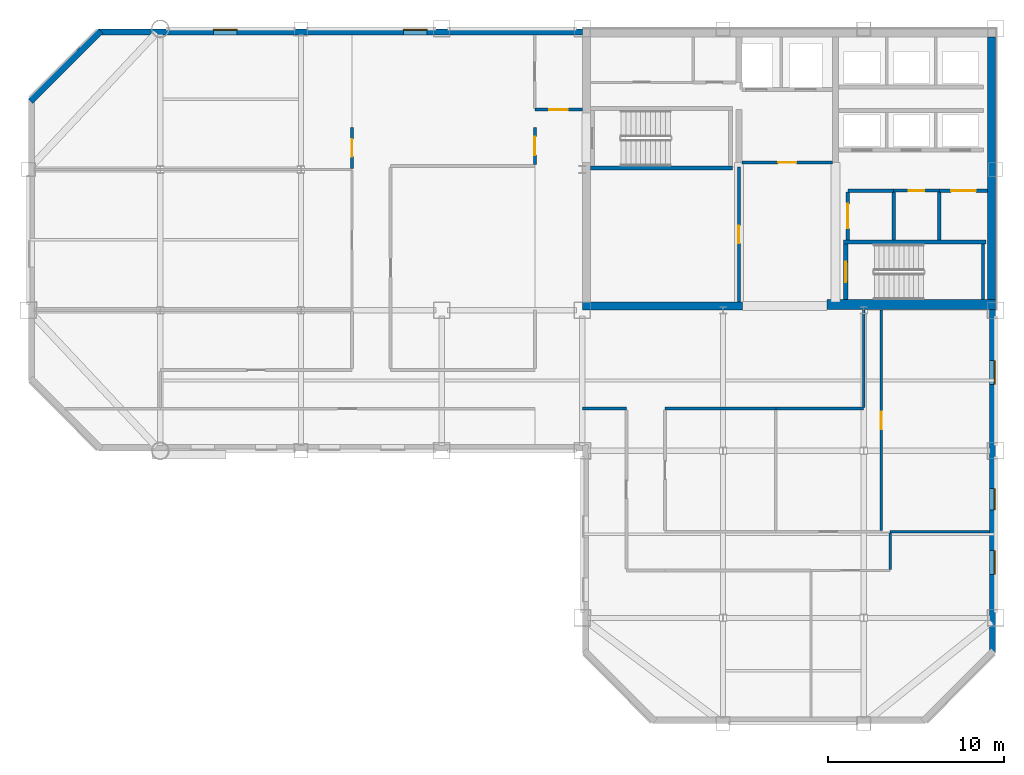
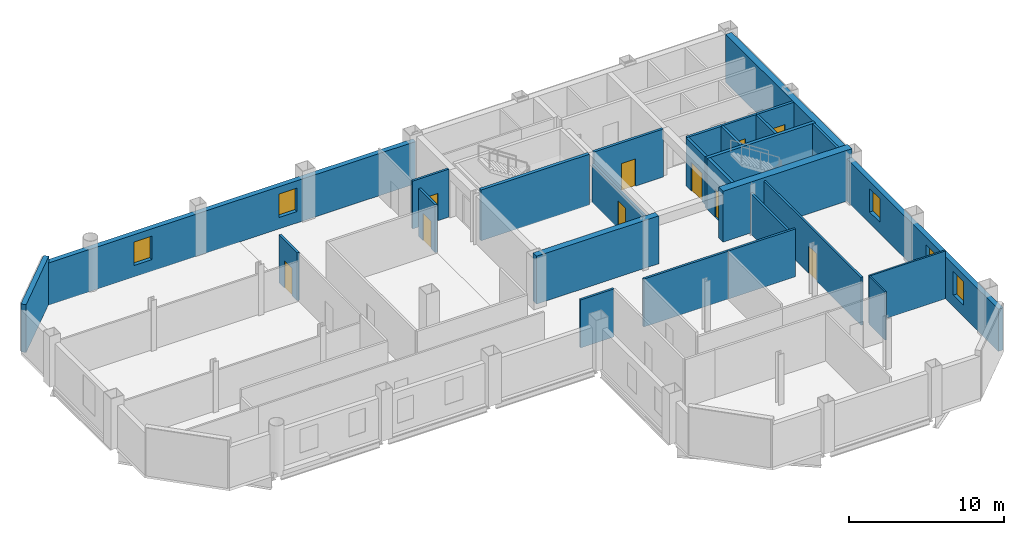
# One storey, part 5 of 10: 28 walls, 10 doors, 5 windows, 15 openings.
"""IFC4 building model written with IfcOpenShell, lengths in metres."""

from ifc_helpers import new_model, si_unit, direction, frame, frame_2d, origin, place, context, subcontext, project, spatial, rectangle, extrude, material, layer, layer_set, type_object, element, fill, save


model = new_model("IFC4")

# Units and contexts
model_context = context("Model", 3, precision=1e-05, world=origin(), true_north=direction((0.0, 1.0)))
body_context = subcontext(model_context, "Body", "Model", "MODEL_VIEW")
ifc_project = project(units=[si_unit("LENGTHUNIT", "METRE"), si_unit("AREAUNIT", "SQUARE_METRE"), si_unit("VOLUMEUNIT", "CUBIC_METRE"), si_unit("PLANEANGLEUNIT", "RADIAN"), si_unit("MASSUNIT", "GRAM", prefix="KILO")], contexts=[model_context])

# Site, building, storey
site_placement = place(None, origin())
site = spatial("IfcSite", under=ifc_project, at=site_placement, CompositionType="ELEMENT")
building_placement = place(site_placement, origin())
building = spatial("IfcBuilding", under=site, at=building_placement, Name="Qianrong Seaharbour Tower", CompositionType="ELEMENT")
storey_placement = place(building_placement, frame((0.0, 0.0, 241.800048828125)))
storey = spatial("IfcBuildingStorey", under=building, at=storey_placement, Name="L58", CompositionType="ELEMENT", Elevation=241.800048828125)

# Walls
ifc_material_1 = material(Name="Concrete C60/75", Category="concrete")
ifc_layer_1 = layer(ifc_material_1, 0.4599609375)
ifc_layer_set_1 = layer_set([ifc_layer_1], Name="Concrete C60/75")
wall_type_1 = type_object("IfcWallType", Name="WALL-CORE-460", PredefinedType="SHEAR", material=ifc_layer_set_1)
wall_1_placement = place(storey_placement, frame((63.77001953125, 36.320068359375, 0.0), z_axis=(0.0, 0.0, 1.0), x_axis=(0.0, 1.0, 0.0)))
element("IfcWall", 1, at=wall_1_placement, inside=storey, type_object=wall_type_1, Name="L58 East Core Shear Wall", PredefinedType="SHEAR", context=body_context, shape_type="SweptSolid", body=[
    extrude(rectangle(XDim=15.219970703125, YDim=0.4599609375, at=frame_2d((7.60986328125, 0.0))), origin(), (0.0, 0.0, 1.0), 3.77490234375),
])
wall_2_placement = place(storey_placement, frame((40.5, 36.22998046875, 0.0), z_axis=(0.0, 0.0, 1.0), x_axis=(1.0, 0.0, 0.0)))
element("IfcWall", 2, at=wall_2_placement, inside=storey, type_object=wall_type_1, Name="L58 South Core Shear Wall S1", PredefinedType="SHEAR", context=body_context, shape_type="SweptSolid", body=[
    extrude(rectangle(XDim=9.10009765625, YDim=0.4599609375, at=frame_2d((4.550048828125, 0.0))), origin(), (0.0, 0.0, 1.0), 3.77490234375),
])
ifc_material_2 = material(Name="Concrete C70/85", Category="concrete")
ifc_layer_2 = layer(ifc_material_2, 0.580078125)
ifc_layer_set_2 = layer_set([ifc_layer_2], Name="Concrete C70/85")
wall_type_2 = type_object("IfcWallType", Name="WALL-CORE-580", PredefinedType="SHEAR", material=ifc_layer_set_2)
wall_3_placement = place(storey_placement, frame((54.39990234375, 36.320068359375, 0.0), z_axis=(0.0, 0.0, 1.0), x_axis=(1.0, 0.0, 0.0)))
element("IfcWall", 3, at=wall_3_placement, inside=storey, type_object=wall_type_2, Name="L58 South Core Shear Wall S3", PredefinedType="SHEAR", context=body_context, shape_type="SweptSolid", body=[
    extrude(rectangle(XDim=9.60009765625, YDim=0.580078125, at=frame_2d((4.800048828125, 0.0))), origin(), (0.0, 0.0, 1.0), 4.0),
])

# Wall, opening, door
ifc_material_3 = material(Name="Fire-rated acoustic gypsum board partition")
ifc_layer_3 = layer(ifc_material_3, 0.1650390625)
ifc_layer_set_3 = layer_set([ifc_layer_3], Name="Fire-rated acoustic gypsum board partition")
wall_type_3 = type_object("IfcWallType", Name="WALL-CORR-PART-165", PredefinedType="PARTITIONING", material=ifc_layer_set_3)
wall_4_placement = place(storey_placement, frame((37.800048828125, 47.39990234375, 0.0), z_axis=(0.0, 0.0, 1.0), x_axis=(1.0, 0.0, 0.0)))
wall_4 = element("IfcWall", 4, at=wall_4_placement, inside=storey, type_object=wall_type_3, Name="L58 Interior Partition Wall 001", PredefinedType="PARTITIONING", context=body_context, shape_type="SweptSolid", body=[
    extrude(rectangle(XDim=2.699951171875, YDim=0.1650390625, at=frame_2d((1.35009765625, 0.0))), origin(), (0.0, 0.0, 1.0), 3.77490234375),
])
opening_1_placement = place(wall_4_placement, frame((0.824951171875, 0.0, 0.0)))
opening_1 = element("IfcOpeningElement", 5, at=opening_1_placement, cuts=wall_4, Name="Opening DC-01", PredefinedType="OPENING", context=body_context, shape_type="SweptSolid", body=[
    extrude(rectangle(XDim=1.050048828125, YDim=2.14990234375, at=frame_2d((0.52490234375, 1.074951171875))), frame((0.0, 0.092529296875, 0.0), z_axis=(0.0, -1.0, 0.0), x_axis=(1.0, 0.0, 0.0)), (0.0, 0.0, 1.0), 0.18505859375),
])
ifc_material_4 = material(Name="Acoustic timber and galvanized steel fire door assembly", Category="steel")
door_type_1 = type_object("IfcDoorType", Name="DOOR-CORR-FD60-1050x2150", OperationType="NOTDEFINED", PredefinedType="DOOR", material=ifc_material_4)
door_1_placement = place(opening_1_placement, origin())
door_1 = element("IfcDoor", 6, at=door_1_placement, inside=storey, type_object=door_type_1, Name="L58 Smokeproof Stair Vestibule ST-1 Door", OperationType="SINGLE_SWING_LEFT", OverallHeight=2.14990234375, OverallWidth=1.050048828125, PredefinedType="DOOR", context=body_context, shape_type="SweptSolid", body=[
    extrude(rectangle(XDim=1.050048828125, YDim=2.14990234375, at=frame_2d((0.52490234375, 1.074951171875))), frame((0.0, 0.02490234375, 0.0), z_axis=(0.0, -1.0, 0.0), x_axis=(1.0, 0.0, 0.0)), (0.0, 0.0, 1.0), 0.050048828125),
])
fill(opening_1, door_1)

wall_5_placement = place(storey_placement, frame((37.800048828125, 44.2744140625, 0.0), z_axis=(0.0, 0.0, 1.0), x_axis=(0.0, 1.0, 0.0)))
wall_5 = element("IfcWall", 7, at=wall_5_placement, inside=storey, type_object=wall_type_3, Name="L58 Interior Partition Wall 002", PredefinedType="PARTITIONING", context=body_context, shape_type="SweptSolid", body=[
    extrude(rectangle(XDim=2.12548828125, YDim=0.1650390625, at=frame_2d((1.062744140625, 0.0))), origin(), (0.0, 0.0, 1.0), 3.77490234375),
])
opening_2_placement = place(wall_5_placement, frame((0.537841796875, 0.0, 0.0)))
opening_2 = element("IfcOpeningElement", 8, at=opening_2_placement, cuts=wall_5, Name="Opening DC-01", PredefinedType="OPENING", context=body_context, shape_type="SweptSolid", body=[
    extrude(rectangle(XDim=1.050048828125, YDim=2.14990234375, at=frame_2d((0.52490234375, 1.074951171875))), frame((0.0, 0.092529296875, 0.0), z_axis=(0.0, -1.0, 0.0), x_axis=(1.0, 0.0, 0.0)), (0.0, 0.0, 1.0), 0.18505859375),
])
door_2_placement = place(opening_2_placement, origin())
door_2 = element("IfcDoor", 9, at=door_2_placement, inside=storey, type_object=door_type_1, Name="L58 Smokeproof Stair Vestibule ST-1 Door", OperationType="SINGLE_SWING_RIGHT", OverallHeight=2.14990234375, OverallWidth=1.050048828125, PredefinedType="DOOR", context=body_context, shape_type="SweptSolid", body=[
    extrude(rectangle(XDim=1.050048828125, YDim=2.14990234375, at=frame_2d((0.52490234375, 1.074951171875))), frame((0.0, 0.02490234375, 0.0), z_axis=(0.0, -1.0, 0.0), x_axis=(1.0, 0.0, 0.0)), (0.0, 0.0, 1.0), 0.050048828125),
])
fill(opening_2, door_2)

wall_6_placement = place(storey_placement, frame((49.39990234375, 36.4599609375, 0.0), z_axis=(0.0, 0.0, 1.0), x_axis=(0.0, 1.0, 0.0)))
wall_6 = element("IfcWall", 10, at=wall_6_placement, inside=storey, type_object=wall_type_3, Name="L58 Interior Partition Wall 007", PredefinedType="PARTITIONING", context=body_context, shape_type="SweptSolid", body=[
    extrude(rectangle(XDim=7.68994140625, YDim=0.1650390625, at=frame_2d((3.844970703125, 0.0))), origin(), (0.0, 0.0, 1.0), 3.016845703125),
])
opening_3_placement = place(wall_6_placement, frame((3.344970703125, 0.0, 0.0)))
opening_3 = element("IfcOpeningElement", 11, at=opening_3_placement, cuts=wall_6, Name="Opening DO-01", PredefinedType="OPENING", context=body_context, shape_type="SweptSolid", body=[
    extrude(rectangle(XDim=1.0, YDim=2.14990234375, at=frame_2d((0.5, 1.074951171875))), frame((0.0, 0.092529296875, 0.0), z_axis=(0.0, -1.0, 0.0), x_axis=(1.0, 0.0, 0.0)), (0.0, 0.0, 1.0), 0.18505859375),
])
door_type_2 = type_object("IfcDoorType", Name="DOOR-OFFICE-1000x2150", OperationType="NOTDEFINED", PredefinedType="DOOR", material=ifc_material_4)
door_3_placement = place(opening_3_placement, origin())
door_3 = element("IfcDoor", 12, at=door_3_placement, inside=storey, type_object=door_type_2, Name="L58 Data Systems Office Door", OperationType="SINGLE_SWING_LEFT", OverallHeight=2.14990234375, OverallWidth=1.0, PredefinedType="DOOR", context=body_context, shape_type="SweptSolid", body=[
    extrude(rectangle(XDim=1.0, YDim=2.14990234375, at=frame_2d((0.5, 1.074951171875))), frame((0.0, 0.02490234375, 0.0), z_axis=(0.0, -1.0, 0.0), x_axis=(1.0, 0.0, 0.0)), (0.0, 0.0, 1.0), 0.050048828125),
])
fill(opening_3, door_3)

wall_7_placement = place(storey_placement, frame((60.800048828125, 42.800048828125, 0.0), z_axis=(0.0, 0.0, 1.0), x_axis=(-1.0, 0.0, 0.0)))
wall_7 = element("IfcWall", 13, at=wall_7_placement, inside=storey, type_object=wall_type_3, Name="L58 Interior Partition Wall 010", PredefinedType="PARTITIONING", context=body_context, shape_type="SweptSolid", body=[
    extrude(rectangle(XDim=2.60009765625, YDim=0.1650390625, at=frame_2d((1.300048828125, 0.0))), origin(), (0.0, 0.0, 1.0), 3.77490234375),
])
opening_4_placement = place(wall_7_placement, frame((0.85009765625, 0.0, 0.0)))
opening_4 = element("IfcOpeningElement", 14, at=opening_4_placement, cuts=wall_7, Name="Opening DS-01", PredefinedType="OPENING", context=body_context, shape_type="SweptSolid", body=[
    extrude(rectangle(XDim=0.89990234375, YDim=2.14990234375, at=frame_2d((0.449951171875, 1.074951171875))), frame((0.0, 0.092529296875, 0.0), z_axis=(0.0, -1.0, 0.0), x_axis=(1.0, 0.0, 0.0)), (0.0, 0.0, 1.0), 0.18505859375),
])
door_type_3 = type_object("IfcDoorType", Name="DOOR-STORE-900x2150", OperationType="NOTDEFINED", PredefinedType="DOOR", material=ifc_material_4)
door_4_placement = place(opening_4_placement, origin())
door_4 = element("IfcDoor", 15, at=door_4_placement, inside=storey, type_object=door_type_3, Name="L58 Supply Store Room Door", OperationType="SINGLE_SWING_RIGHT", OverallHeight=2.14990234375, OverallWidth=0.89990234375, PredefinedType="DOOR", context=body_context, shape_type="SweptSolid", body=[
    extrude(rectangle(XDim=0.89990234375, YDim=2.14990234375, at=frame_2d((0.449951171875, 1.074951171875))), frame((0.0, 0.02490234375, 0.0), z_axis=(0.0, -1.0, 0.0), x_axis=(1.0, 0.0, 0.0)), (0.0, 0.0, 1.0), 0.050048828125),
])
fill(opening_4, door_4)

wall_8_placement = place(storey_placement, frame((27.39990234375, 44.056884765625, 0.0), z_axis=(0.0, 0.0, 1.0), x_axis=(0.0, 1.0, 0.0)))
wall_8 = element("IfcWall", 16, at=wall_8_placement, inside=storey, type_object=wall_type_3, Name="L58 Interior Partition Wall 022", PredefinedType="PARTITIONING", context=body_context, shape_type="SweptSolid", body=[
    extrude(rectangle(XDim=2.343017578125, YDim=0.1650390625, at=frame_2d((1.17138671875, 0.0))), origin(), (0.0, 0.0, 1.0), 3.77490234375),
])
opening_5_placement = place(wall_8_placement, frame((0.67138671875, 0.0, 0.0)))
opening_5 = element("IfcOpeningElement", 17, at=opening_5_placement, cuts=wall_8, Name="Opening DO-01", PredefinedType="OPENING", context=body_context, shape_type="SweptSolid", body=[
    extrude(rectangle(XDim=1.0, YDim=2.14990234375, at=frame_2d((0.5, 1.074951171875))), frame((0.0, 0.092529296875, 0.0), z_axis=(0.0, -1.0, 0.0), x_axis=(1.0, 0.0, 0.0)), (0.0, 0.0, 1.0), 0.18505859375),
])
door_5_placement = place(opening_5_placement, origin())
door_5 = element("IfcDoor", 18, at=door_5_placement, inside=storey, type_object=door_type_2, Name="L58 Hospitality Dining Room 3 Door", OperationType="SINGLE_SWING_RIGHT", OverallHeight=2.14990234375, OverallWidth=1.0, PredefinedType="DOOR", context=body_context, shape_type="SweptSolid", body=[
    extrude(rectangle(XDim=1.0, YDim=2.14990234375, at=frame_2d((0.5, 1.074951171875))), frame((0.0, 0.02490234375, 0.0), z_axis=(0.0, -1.0, 0.0), x_axis=(1.0, 0.0, 0.0)), (0.0, 0.0, 1.0), 0.050048828125),
])
fill(opening_5, door_5)

# Walls
wall_9_placement = place(storey_placement, frame((51.5, 30.39990234375, 0.0), z_axis=(0.0, 0.0, 1.0), x_axis=(-1.0, 0.0, 0.0)))
element("IfcWall", 19, at=wall_9_placement, inside=storey, type_object=wall_type_3, Name="L58 Interior Partition Wall 025", PredefinedType="PARTITIONING", context=body_context, shape_type="SweptSolid", body=[
    extrude(rectangle(XDim=6.300048828125, YDim=0.1650390625, at=frame_2d((3.14990234375, 0.0))), origin(), (0.0, 0.0, 1.0), 3.77490234375),
])
wall_10_placement = place(storey_placement, frame((56.5, 36.0, 0.0), z_axis=(0.0, 0.0, 1.0), x_axis=(0.0, -1.0, 0.0)))
element("IfcWall", 20, at=wall_10_placement, inside=storey, type_object=wall_type_3, Name="L58 Interior Partition Wall 026", PredefinedType="PARTITIONING", context=body_context, shape_type="SweptSolid", body=[
    extrude(rectangle(XDim=5.525390625, YDim=0.1650390625, at=frame_2d((2.7626953125, 0.0))), origin(), (0.0, 0.0, 1.0), 3.178955078125),
])
wall_11_placement = place(storey_placement, frame((56.5, 30.39990234375, 0.0), z_axis=(0.0, 0.0, 1.0), x_axis=(-1.0, 0.0, 0.0)))
element("IfcWall", 21, at=wall_11_placement, inside=storey, type_object=wall_type_3, Name="L58 Interior Partition Wall 027", PredefinedType="PARTITIONING", context=body_context, shape_type="SweptSolid", body=[
    extrude(rectangle(XDim=5.0, YDim=0.1650390625, at=frame_2d((2.5, 0.0))), origin(), (0.0, 0.0, 1.0), 3.77490234375),
])
wall_12_placement = place(storey_placement, frame((43.0, 30.39990234375, 0.0), z_axis=(0.0, 0.0, 1.0), x_axis=(-1.0, 0.0, 0.0)))
element("IfcWall", 22, at=wall_12_placement, inside=storey, type_object=wall_type_3, Name="L58 Interior Partition Wall 028", PredefinedType="PARTITIONING", context=body_context, shape_type="SweptSolid", body=[
    extrude(rectangle(XDim=2.5, YDim=0.1650390625, at=frame_2d((1.25, 0.0))), origin(), (0.0, 0.0, 1.0), 3.77490234375),
])
ifc_material_5 = material(Name="Unitised red brick on Precast concrete C45/55", Category="masonry")
ifc_layer_4 = layer(ifc_material_5, 0.360107421875)
ifc_layer_set_4 = layer_set([ifc_layer_4], Name="Unitised red brick on Precast concrete C45/55")
wall_type_4 = type_object("IfcWallType", Name="WALL-EXT-BRICK-RED-360", PredefinedType="SOLIDWALL", material=ifc_layer_set_4)
wall_13_placement = place(storey_placement, frame((9.127197265625, 47.872802734375, 0.0), z_axis=(0.0, 0.0, 1.0), x_axis=(0.707106781187, 0.707106781187, 0.0)))
element("IfcWall", 23, at=wall_13_placement, inside=storey, type_object=wall_type_4, Name="L58 Exterior Masonry Facade Wall E04", PredefinedType="SOLIDWALL", context=body_context, shape_type="SweptSolid", body=[
    extrude(rectangle(XDim=5.65673828125, YDim=0.360107421875, at=frame_2d((2.828369140625, 0.0))), origin(), (0.0, 0.0, 1.0), 3.77490234375),
])

# Wall, openings, windows
wall_14_placement = place(storey_placement, frame((13.0, 51.820068359375, 0.0), z_axis=(0.0, 0.0, 1.0), x_axis=(1.0, 0.0, 0.0)))
wall_14 = element("IfcWall", 24, at=wall_14_placement, inside=storey, type_object=wall_type_4, Name="L58 Exterior Masonry Facade Wall NORTH_WING", PredefinedType="SOLIDWALL", context=body_context, shape_type="SweptSolid", body=[
    extrude(rectangle(XDim=27.52001953125, YDim=0.360107421875, at=frame_2d((13.760009765625, 0.0))), origin(), (0.0, 0.0, 1.0), 3.324951171875),
])
opening_6_placement = place(wall_14_placement, frame((6.52490234375, 0.0, 0.89990234375)))
opening_6 = element("IfcOpeningElement", 25, at=opening_6_placement, cuts=wall_14, Name="Opening WN-02", PredefinedType="OPENING", context=body_context, shape_type="SweptSolid", body=[
    extrude(rectangle(XDim=1.35009765625, YDim=1.85009765625, at=frame_2d((0.675048828125, 0.925048828125))), frame((0.0, 0.18994140625, 0.0), z_axis=(0.0, -1.0, 0.0), x_axis=(1.0, 0.0, 0.0)), (0.0, 0.0, 1.0), 0.380126953125),
])
opening_7_placement = place(wall_14_placement, frame((17.324951171875, 0.0, 0.89990234375)))
opening_7 = element("IfcOpeningElement", 26, at=opening_7_placement, cuts=wall_14, Name="Opening WN-02", PredefinedType="OPENING", context=body_context, shape_type="SweptSolid", body=[
    extrude(rectangle(XDim=1.35009765625, YDim=1.85009765625, at=frame_2d((0.675048828125, 0.925048828125))), frame((0.0, 0.18994140625, 0.0), z_axis=(0.0, -1.0, 0.0), x_axis=(1.0, 0.0, 0.0)), (0.0, 0.0, 1.0), 0.380126953125),
])
ifc_material_6 = material(Name="Insulated low-e double glazing in thermally broken aluminium 6063-T6 frame", Category="aluminium")
window_type_1 = type_object("IfcWindowType", Name="WIN-PUNCH-1350x1850", PartitioningType="DOUBLE_PANEL_VERTICAL", PredefinedType="WINDOW", material=ifc_material_6)
window_1_placement = place(opening_6_placement, origin())
window_1 = element("IfcWindow", 27, at=window_1_placement, inside=storey, type_object=window_type_1, Name="L58 Deep-Set Punched Window 05.02", OverallHeight=1.85009765625, OverallWidth=1.35009765625, PartitioningType="DOUBLE_PANEL_VERTICAL", PredefinedType="WINDOW", context=body_context, shape_type="SweptSolid", body=[
    extrude(rectangle(XDim=1.35009765625, YDim=1.85009765625, at=frame_2d((0.675048828125, 0.925048828125))), frame((0.0, 0.150146484375, 0.0), z_axis=(0.0, -1.0, 0.0), x_axis=(1.0, 0.0, 0.0)), (0.0, 0.0, 1.0), 0.06005859375),
])
fill(opening_6, window_1)
window_2_placement = place(opening_7_placement, origin())
window_2 = element("IfcWindow", 28, at=window_2_placement, inside=storey, type_object=window_type_1, Name="L58 Deep-Set Punched Window 05.05", OverallHeight=1.85009765625, OverallWidth=1.35009765625, PartitioningType="DOUBLE_PANEL_VERTICAL", PredefinedType="WINDOW", context=body_context, shape_type="SweptSolid", body=[
    extrude(rectangle(XDim=1.35009765625, YDim=1.85009765625, at=frame_2d((0.675048828125, 0.925048828125))), frame((0.0, 0.150146484375, 0.0), z_axis=(0.0, -1.0, 0.0), x_axis=(1.0, 0.0, 0.0)), (0.0, 0.0, 1.0), 0.06005859375),
])
fill(opening_7, window_2)

wall_15_placement = place(storey_placement, frame((63.820068359375, 36.050048828125, 0.0), z_axis=(0.0, 0.0, 1.0), x_axis=(0.0, -1.0, 0.0)))
wall_15 = element("IfcWall", 29, at=wall_15_placement, inside=storey, type_object=wall_type_4, Name="L58 Exterior Masonry Facade Wall EAST_WING", PredefinedType="SOLIDWALL", context=body_context, shape_type="SweptSolid", body=[
    extrude(rectangle(XDim=19.550048828125, YDim=0.360107421875, at=frame_2d((9.77490234375, 0.0))), origin(), (0.0, 0.0, 1.0), 3.324951171875),
])
opening_8_placement = place(wall_15_placement, frame((2.925048828125, 0.0, 0.89990234375)))
opening_8 = element("IfcOpeningElement", 30, at=opening_8_placement, cuts=wall_15, Name="Opening WN-02", PredefinedType="OPENING", context=body_context, shape_type="SweptSolid", body=[
    extrude(rectangle(XDim=1.35009765625, YDim=1.85009765625, at=frame_2d((0.675048828125, 0.925048828125))), frame((0.0, 0.18994140625, 0.0), z_axis=(0.0, -1.0, 0.0), x_axis=(1.0, 0.0, 0.0)), (0.0, 0.0, 1.0), 0.380126953125),
])
opening_9_placement = place(wall_15_placement, frame((10.199951171875, 0.0, 0.89990234375)))
opening_9 = element("IfcOpeningElement", 31, at=opening_9_placement, cuts=wall_15, Name="Opening WN-01", PredefinedType="OPENING", context=body_context, shape_type="SweptSolid", body=[
    extrude(rectangle(XDim=1.199951171875, YDim=1.85009765625, at=frame_2d((0.60009765625, 0.925048828125))), frame((0.0, 0.18994140625, 0.0), z_axis=(0.0, -1.0, 0.0), x_axis=(1.0, 0.0, 0.0)), (0.0, 0.0, 1.0), 0.380126953125),
])
opening_10_placement = place(wall_15_placement, frame((13.72509765625, 0.0, 0.89990234375)))
opening_10 = element("IfcOpeningElement", 32, at=opening_10_placement, cuts=wall_15, Name="Opening WN-02", PredefinedType="OPENING", context=body_context, shape_type="SweptSolid", body=[
    extrude(rectangle(XDim=1.35009765625, YDim=1.85009765625, at=frame_2d((0.675048828125, 0.925048828125))), frame((0.0, 0.18994140625, 0.0), z_axis=(0.0, -1.0, 0.0), x_axis=(1.0, 0.0, 0.0)), (0.0, 0.0, 1.0), 0.380126953125),
])
window_type_2 = type_object("IfcWindowType", Name="WIN-PUNCH-1200x1850", PartitioningType="DOUBLE_PANEL_VERTICAL", PredefinedType="WINDOW", material=ifc_material_6)
window_3_placement = place(opening_9_placement, origin())
window_3 = element("IfcWindow", 33, at=window_3_placement, inside=storey, type_object=window_type_2, Name="L58 Deep-Set Punched Window 06.03", OverallHeight=1.85009765625, OverallWidth=1.199951171875, PartitioningType="DOUBLE_PANEL_VERTICAL", PredefinedType="WINDOW", context=body_context, shape_type="SweptSolid", body=[
    extrude(rectangle(XDim=1.199951171875, YDim=1.85009765625, at=frame_2d((0.60009765625, 0.925048828125))), frame((0.0, 0.150146484375, 0.0), z_axis=(0.0, -1.0, 0.0), x_axis=(1.0, 0.0, 0.0)), (0.0, 0.0, 1.0), 0.06005859375),
])
fill(opening_9, window_3)
window_4_placement = place(opening_8_placement, origin())
window_4 = element("IfcWindow", 34, at=window_4_placement, inside=storey, type_object=window_type_1, Name="L58 Deep-Set Punched Window 06.01", OverallHeight=1.85009765625, OverallWidth=1.35009765625, PartitioningType="DOUBLE_PANEL_VERTICAL", PredefinedType="WINDOW", context=body_context, shape_type="SweptSolid", body=[
    extrude(rectangle(XDim=1.35009765625, YDim=1.85009765625, at=frame_2d((0.675048828125, 0.925048828125))), frame((0.0, 0.150146484375, 0.0), z_axis=(0.0, -1.0, 0.0), x_axis=(1.0, 0.0, 0.0)), (0.0, 0.0, 1.0), 0.06005859375),
])
fill(opening_8, window_4)
window_5_placement = place(opening_10_placement, origin())
window_5 = element("IfcWindow", 35, at=window_5_placement, inside=storey, type_object=window_type_1, Name="L58 Deep-Set Punched Window 06.04", OverallHeight=1.85009765625, OverallWidth=1.35009765625, PartitioningType="DOUBLE_PANEL_VERTICAL", PredefinedType="WINDOW", context=body_context, shape_type="SweptSolid", body=[
    extrude(rectangle(XDim=1.35009765625, YDim=1.85009765625, at=frame_2d((0.675048828125, 0.925048828125))), frame((0.0, 0.150146484375, 0.0), z_axis=(0.0, -1.0, 0.0), x_axis=(1.0, 0.0, 0.0)), (0.0, 0.0, 1.0), 0.06005859375),
])
fill(opening_10, window_5)

# Wall, opening, door
ifc_material_7 = material(Name="Double fire-rated gypsum board acoustic partition")
ifc_layer_5 = layer(ifc_material_7, 0.18994140625)
ifc_layer_set_5 = layer_set([ifc_layer_5], Name="Double fire-rated gypsum board acoustic partition")
wall_type_5 = type_object("IfcWallType", Name="WALL-FIRE-PART-190", PredefinedType="PARTITIONING", material=ifc_layer_set_5)
wall_16_placement = place(storey_placement, frame((54.73291015625, 44.39990234375, 0.0), z_axis=(0.0, 0.0, 1.0), x_axis=(-1.0, 0.0, 0.0)))
wall_16 = element("IfcWall", 36, at=wall_16_placement, inside=storey, type_object=wall_type_5, Name="L58 Interior Partition Wall 006", PredefinedType="PARTITIONING", context=body_context, shape_type="SweptSolid", body=[
    extrude(rectangle(XDim=5.166015625, YDim=0.18994140625, at=frame_2d((2.5830078125, 0.0))), origin(), (0.0, 0.0, 1.0), 3.77490234375),
])
opening_11_placement = place(wall_16_placement, frame((2.05810546875, 0.0, 0.0)))
opening_11 = element("IfcOpeningElement", 37, at=opening_11_placement, cuts=wall_16, Name="Opening DC-01", PredefinedType="OPENING", context=body_context, shape_type="SweptSolid", body=[
    extrude(rectangle(XDim=1.050048828125, YDim=2.14990234375, at=frame_2d((0.52490234375, 1.074951171875))), frame((0.0, 0.10498046875, 0.0), z_axis=(0.0, -1.0, 0.0), x_axis=(1.0, 0.0, 0.0)), (0.0, 0.0, 1.0), 0.2099609375),
])
door_6_placement = place(opening_11_placement, origin())
door_6 = element("IfcDoor", 38, at=door_6_placement, inside=storey, type_object=door_type_1, Name="L58 Firefighting Lift Lobby Door", OperationType="SINGLE_SWING_RIGHT", OverallHeight=2.14990234375, OverallWidth=1.050048828125, PredefinedType="DOOR", context=body_context, shape_type="SweptSolid", body=[
    extrude(rectangle(XDim=1.050048828125, YDim=2.14990234375, at=frame_2d((0.52490234375, 1.074951171875))), frame((0.0, 0.02490234375, 0.0), z_axis=(0.0, -1.0, 0.0), x_axis=(1.0, 0.0, 0.0)), (0.0, 0.0, 1.0), 0.050048828125),
])
fill(opening_11, door_6)

wall_17_placement = place(storey_placement, frame((55.60009765625, 42.712890625, 0.0), z_axis=(0.0, 0.0, 1.0), x_axis=(0.0, -1.0, 0.0)))
wall_17 = element("IfcWall", 39, at=wall_17_placement, inside=storey, type_object=wall_type_5, Name="L58 Interior Partition Wall 008", PredefinedType="PARTITIONING", context=body_context, shape_type="SweptSolid", body=[
    extrude(rectangle(XDim=2.73095703125, YDim=0.18994140625, at=frame_2d((1.365478515625, 0.0))), origin(), (0.0, 0.0, 1.0), 3.77490234375),
])
opening_12_placement = place(wall_17_placement, frame((0.66552734375, 0.0, 0.0)))
opening_12 = element("IfcOpeningElement", 40, at=opening_12_placement, cuts=wall_17, Name="Opening DP-01", PredefinedType="OPENING", context=body_context, shape_type="SweptSolid", body=[
    extrude(rectangle(XDim=1.39990234375, YDim=2.25, at=frame_2d((0.699951171875, 1.125))), frame((0.0, 0.10498046875, 0.0), z_axis=(0.0, -1.0, 0.0), x_axis=(1.0, 0.0, 0.0)), (0.0, 0.0, 1.0), 0.2099609375),
])
door_type_4 = type_object("IfcDoorType", Name="DOOR-PLANT-PAIR-1400x2250", OperationType="DOUBLE_DOOR_SINGLE_SWING", PredefinedType="DOOR", material=ifc_material_4)
door_7_placement = place(opening_12_placement, origin())
door_7 = element("IfcDoor", 41, at=door_7_placement, inside=storey, type_object=door_type_4, Name="L58 Core Telecom Room Door", OperationType="DOUBLE_DOOR_SINGLE_SWING", OverallHeight=2.25, OverallWidth=1.39990234375, PredefinedType="DOOR", context=body_context, shape_type="SweptSolid", body=[
    extrude(rectangle(XDim=1.39990234375, YDim=2.25, at=frame_2d((0.699951171875, 1.125))), frame((0.0, 0.02490234375, 0.0), z_axis=(0.0, -1.0, 0.0), x_axis=(1.0, 0.0, 0.0)), (0.0, 0.0, 1.0), 0.050048828125),
])
fill(opening_12, door_7)

# Wall
wall_18_placement = place(storey_placement, frame((58.199951171875, 42.800048828125, 0.0), z_axis=(0.0, 0.0, 1.0), x_axis=(-1.0, 0.0, 0.0)))
element("IfcWall", 42, at=wall_18_placement, inside=storey, type_object=wall_type_5, Name="L58 Interior Partition Wall 009", PredefinedType="PARTITIONING", context=body_context, shape_type="SweptSolid", body=[
    extrude(rectangle(XDim=2.599853515625, YDim=0.18994140625, at=frame_2d((1.2998046875, 0.0))), origin(), (0.0, 0.0, 1.0), 3.77490234375),
])

# Wall, opening, door
wall_19_placement = place(storey_placement, frame((63.5400390625, 42.800048828125, 0.0), z_axis=(0.0, 0.0, 1.0), x_axis=(-1.0, 0.0, 0.0)))
wall_19 = element("IfcWall", 43, at=wall_19_placement, inside=storey, type_object=wall_type_5, Name="L58 Interior Partition Wall 011", PredefinedType="PARTITIONING", context=body_context, shape_type="SweptSolid", body=[
    extrude(rectangle(XDim=2.739990234375, YDim=0.18994140625, at=frame_2d((1.3701171875, 0.0))), origin(), (0.0, 0.0, 1.0), 3.77490234375),
])
opening_13_placement = place(wall_19_placement, frame((0.669921875, 0.0, 0.0)))
opening_13 = element("IfcOpeningElement", 44, at=opening_13_placement, cuts=wall_19, Name="Opening DP-01", PredefinedType="OPENING", context=body_context, shape_type="SweptSolid", body=[
    extrude(rectangle(XDim=1.39990234375, YDim=2.25, at=frame_2d((0.699951171875, 1.125))), frame((0.0, 0.10498046875, 0.0), z_axis=(0.0, -1.0, 0.0), x_axis=(1.0, 0.0, 0.0)), (0.0, 0.0, 1.0), 0.2099609375),
])
door_8_placement = place(opening_13_placement, origin())
door_8 = element("IfcDoor", 45, at=door_8_placement, inside=storey, type_object=door_type_4, Name="L58 Building Metering Room Door", OperationType="DOUBLE_DOOR_SINGLE_SWING", OverallHeight=2.25, OverallWidth=1.39990234375, PredefinedType="DOOR", context=body_context, shape_type="SweptSolid", body=[
    extrude(rectangle(XDim=1.39990234375, YDim=2.25, at=frame_2d((0.699951171875, 1.125))), frame((0.0, 0.02490234375, 0.0), z_axis=(0.0, -1.0, 0.0), x_axis=(1.0, 0.0, 0.0)), (0.0, 0.0, 1.0), 0.050048828125),
])
fill(opening_13, door_8)

# Walls
for number, where, z_axis, x_axis, name in (
    (46, (58.199951171875, 42.712890625, 0.0), (0.0, 0.0, 1.0), (0.0, -1.0, 0.0), "L58 Interior Partition Wall 013"),
    (47, (60.800048828125, 42.712890625, 0.0), (0.0, 0.0, 1.0), (0.0, -1.0, 0.0), "L58 Interior Partition Wall 014"),
):
    element("IfcWall", number, at=place(storey_placement, frame(where, z_axis=z_axis, x_axis=x_axis)), inside=storey, type_object=wall_type_5, Name=name, PredefinedType="PARTITIONING", context=body_context, shape_type="SweptSolid", body=[
        extrude(rectangle(XDim=2.73095703125, YDim=0.18994140625, at=frame_2d((1.365478515625, 0.0))), origin(), (0.0, 0.0, 1.0), 3.77490234375),
    ])

# Wall, opening, door
ifc_material_8 = material(Name="Acoustic gypsum board stud partition")
ifc_layer_6 = layer(ifc_material_8, 0.14501953125)
ifc_layer_set_6 = layer_set([ifc_layer_6], Name="Acoustic gypsum board stud partition")
wall_type_6 = type_object("IfcWallType", Name="WALL-OFFICE-PART-145", PredefinedType="PARTITIONING", material=ifc_layer_set_6)
wall_20_placement = place(storey_placement, frame((57.5, 36.0, 0.0), z_axis=(0.0, 0.0, 1.0), x_axis=(0.0, -1.0, 0.0)))
wall_20 = element("IfcWall", 48, at=wall_20_placement, inside=storey, type_object=wall_type_6, Name="L58 Interior Partition Wall 041", PredefinedType="PARTITIONING", context=body_context, shape_type="SweptSolid", body=[
    extrude(rectangle(XDim=12.525390625, YDim=0.14501953125, at=frame_2d((6.2626953125, 0.0))), origin(), (0.0, 0.0, 1.0), 3.77490234375),
])
opening_14_placement = place(wall_20_placement, frame((5.7626953125, 0.0, 0.0)))
opening_14 = element("IfcOpeningElement", 49, at=opening_14_placement, cuts=wall_20, Name="Opening DO-01", PredefinedType="OPENING", context=body_context, shape_type="SweptSolid", body=[
    extrude(rectangle(XDim=1.0, YDim=2.14990234375, at=frame_2d((0.5, 1.074951171875))), frame((0.0, 0.08251953125, 0.0), z_axis=(0.0, -1.0, 0.0), x_axis=(1.0, 0.0, 0.0)), (0.0, 0.0, 1.0), 0.1650390625),
])
door_9_placement = place(opening_14_placement, origin())
door_9 = element("IfcDoor", 50, at=door_9_placement, inside=storey, type_object=door_type_2, Name="L58 Staff Lounge 3 Door", OperationType="SINGLE_SWING_LEFT", OverallHeight=2.14990234375, OverallWidth=1.0, PredefinedType="DOOR", context=body_context, shape_type="SweptSolid", body=[
    extrude(rectangle(XDim=1.0, YDim=2.14990234375, at=frame_2d((0.5, 1.074951171875))), frame((0.0, 0.02490234375, 0.0), z_axis=(0.0, -1.0, 0.0), x_axis=(1.0, 0.0, 0.0)), (0.0, 0.0, 1.0), 0.050048828125),
])
fill(opening_14, door_9)

# Walls
ifc_material_9 = material(Name="Concrete C50/60", Category="concrete")
ifc_layer_7 = layer(ifc_material_9, 0.239990234375)
ifc_layer_set_7 = layer_set([ifc_layer_7], Name="Concrete C50/60")
wall_type_7 = type_object("IfcWallType", Name="WALL-SHAFT-RC240", PredefinedType="SOLIDWALL", material=ifc_layer_set_7)
wall_21_placement = place(storey_placement, frame((49.0400390625, 44.080078125, 0.0), z_axis=(0.0, 0.0, 1.0), x_axis=(-1.0, 0.0, 0.0)))
element("IfcWall", 51, at=wall_21_placement, inside=storey, type_object=wall_type_7, Name="L58 ST-1 Structural Stair Core Wall S", PredefinedType="SOLIDWALL", context=body_context, shape_type="SweptSolid", body=[
    extrude(rectangle(XDim=8.080078125, YDim=0.239990234375, at=frame_2d((4.0400390625, 0.0))), origin(), (0.0, 0.0, 1.0), 4.0),
])
wall_22_placement = place(storey_placement, frame((55.360107421875, 39.8701171875, 0.0), z_axis=(0.0, 0.0, 1.0), x_axis=(1.0, 0.0, 0.0)))
element("IfcWall", 52, at=wall_22_placement, inside=storey, type_object=wall_type_7, Name="L58 ST-2 Structural Stair Core Wall N", PredefinedType="SOLIDWALL", context=body_context, shape_type="SweptSolid", body=[
    extrude(rectangle(XDim=8.079833984375, YDim=0.239990234375, at=frame_2d((4.0400390625, 0.0))), origin(), (0.0, 0.0, 1.0), 4.0),
])

# Wall, opening, door
wall_23_placement = place(storey_placement, frame((55.47998046875, 39.75, 0.0), z_axis=(0.0, 0.0, 1.0), x_axis=(0.0, -1.0, 0.0)))
wall_23 = element("IfcWall", 53, at=wall_23_placement, inside=storey, type_object=wall_type_7, Name="L58 ST-2 Structural Stair Core Wall W", PredefinedType="SOLIDWALL", context=body_context, shape_type="SweptSolid", body=[
    extrude(rectangle(XDim=3.14990234375, YDim=0.239990234375, at=frame_2d((1.574951171875, 0.0))), origin(), (0.0, 0.0, 1.0), 4.0),
])
opening_15_placement = place(wall_23_placement, frame((1.0, 0.0, 0.0)))
opening_15 = element("IfcOpeningElement", 54, at=opening_15_placement, cuts=wall_23, Name="Opening SD-01", PredefinedType="OPENING", context=body_context, shape_type="SweptSolid", body=[
    extrude(rectangle(XDim=1.14990234375, YDim=2.199951171875, at=frame_2d((0.574951171875, 1.10009765625))), frame((0.0, 0.1298828125, 0.0), z_axis=(0.0, -1.0, 0.0), x_axis=(1.0, 0.0, 0.0)), (0.0, 0.0, 1.0), 0.260009765625),
])
door_type_5 = type_object("IfcDoorType", Name="DOOR-STAIR-FD60-1150x2200", OperationType="NOTDEFINED", PredefinedType="DOOR", material=ifc_material_4)
door_10_placement = place(opening_15_placement, origin())
door_10 = element("IfcDoor", 55, at=door_10_placement, inside=storey, type_object=door_type_5, Name="L58 ST-2 Protected Stair Door", OperationType="SINGLE_SWING_LEFT", OverallHeight=2.199951171875, OverallWidth=1.14990234375, PredefinedType="DOOR", context=body_context, shape_type="SweptSolid", body=[
    extrude(rectangle(XDim=1.14990234375, YDim=2.199951171875, at=frame_2d((0.574951171875, 1.10009765625))), frame((0.0, 0.02490234375, 0.0), z_axis=(0.0, -1.0, 0.0), x_axis=(1.0, 0.0, 0.0)), (0.0, 0.0, 1.0), 0.050048828125),
])
fill(opening_15, door_10)

# Walls
wall_24_placement = place(storey_placement, frame((63.2900390625, 36.60009765625, 0.0), z_axis=(0.0, 0.0, 1.0), x_axis=(0.0, 1.0, 0.0)))
element("IfcWall", 56, at=wall_24_placement, inside=storey, type_object=wall_type_7, Name="L58 ST-2 Structural Stair Core Wall E", PredefinedType="SOLIDWALL", context=body_context, shape_type="SweptSolid", body=[
    extrude(rectangle(XDim=3.14990234375, YDim=0.179931640625, at=frame_2d((1.574951171875, 0.0))), origin(), (0.0, 0.0, 1.0), 4.0),
])
ifc_material_10 = material(Name="Water-resistant cement board sanitary partition")
ifc_layer_8 = layer(ifc_material_10, 0.1298828125)
ifc_layer_set_8 = layer_set([ifc_layer_8], Name="Water-resistant cement board sanitary partition")
wall_type_8 = type_object("IfcWallType", Name="WALL-WET-PART-130", PredefinedType="PARTITIONING", material=ifc_layer_set_8)
wall_25_placement = place(storey_placement, frame((58.0, 23.343017578125, 0.0), z_axis=(0.0, 0.0, 1.0), x_axis=(0.0, -1.0, 0.0)))
element("IfcWall", 57, at=wall_25_placement, inside=storey, type_object=wall_type_8, Name="L58 Interior Partition Wall 035", PredefinedType="PARTITIONING", context=body_context, shape_type="SweptSolid", body=[
    extrude(rectangle(XDim=2.0859375, YDim=0.1298828125, at=frame_2d((1.04296875, 0.0))), origin(), (0.0, 0.0, 1.0), 3.77490234375),
])
wall_26_placement = place(storey_placement, frame((63.64794921875, 23.39990234375, 0.0), z_axis=(0.0, 0.0, 1.0), x_axis=(-1.0, 0.0, 0.0)))
element("IfcWall", 58, at=wall_26_placement, inside=storey, type_object=wall_type_8, Name="L58 Interior Partition Wall 042", PredefinedType="PARTITIONING", context=body_context, shape_type="SweptSolid", body=[
    extrude(rectangle(XDim=5.64794921875, YDim=0.1298828125, at=frame_2d((2.823974609375, 0.0))), origin(), (0.0, 0.0, 1.0), 3.77490234375),
])

save(model, "model.ifc")
